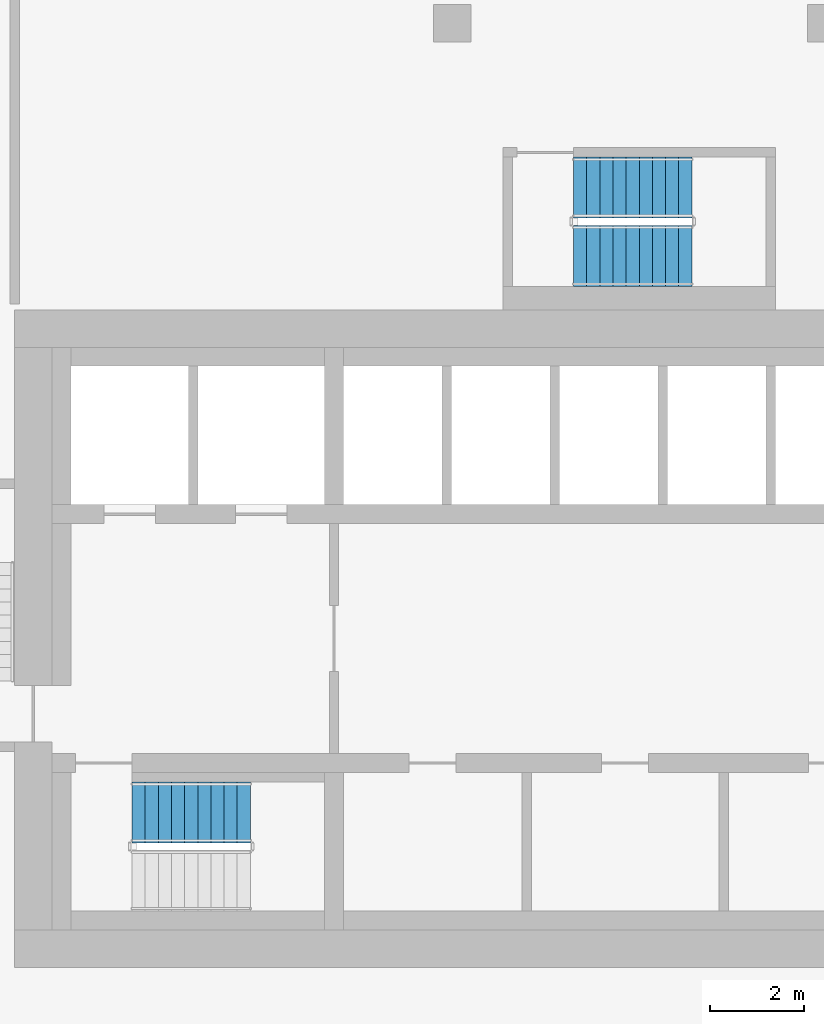
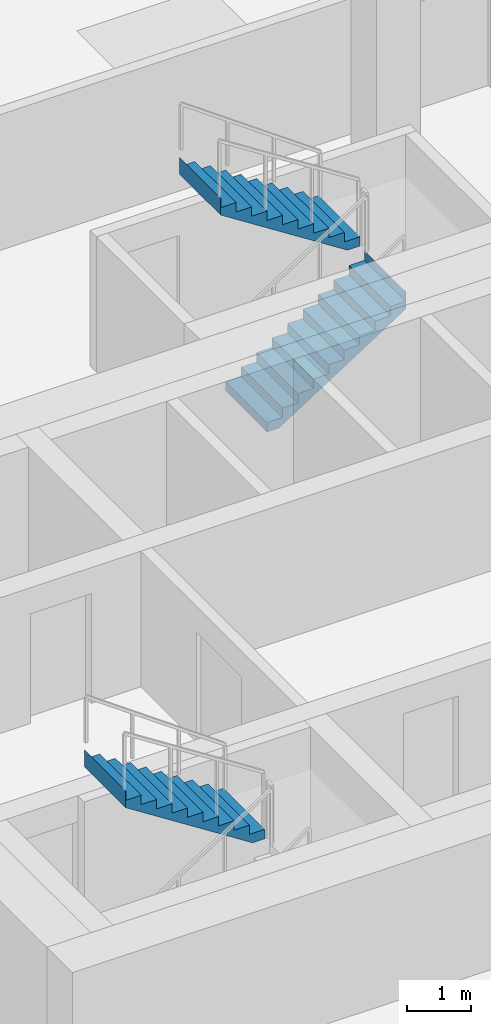
# One storey, part 17 of 22: 3 stair flights, 2 elements without a shape of their own.
"""IFC4 building model written with IfcOpenShell, lengths in metres."""

from ifc_helpers import new_model, si_unit, direction, frame, origin, place, context, subcontext, project, spatial, triangles, material, type_object, element, aggregate, save


model = new_model("IFC4")

# Units and contexts
model_context = context("Model", 3, precision=1e-05, world=origin(), true_north=direction((0.0, 1.0)))
body_context = subcontext(model_context, "Body", "Model", "MODEL_VIEW")
ifc_project = project(units=[si_unit("LENGTHUNIT", "METRE"), si_unit("AREAUNIT", "SQUARE_METRE"), si_unit("VOLUMEUNIT", "CUBIC_METRE"), si_unit("PLANEANGLEUNIT", "RADIAN"), si_unit("MASSUNIT", "GRAM", prefix="KILO")], contexts=[model_context])

# Site, building, storey
site_placement = place(None, origin())
site = spatial("IfcSite", under=ifc_project, at=site_placement, CompositionType="ELEMENT")
building_placement = place(site_placement, origin())
building = spatial("IfcBuilding", under=site, at=building_placement, Name="Beryl Residences", CompositionType="ELEMENT")
storey_placement = place(building_placement, frame((0.0, 0.0, 153.60009765625)))
storey = spatial("IfcBuildingStorey", under=building, at=storey_placement, Name="L47", CompositionType="ELEMENT", Elevation=153.60009765625)

# Stair, stair flight
ifc_material_1 = material(Name="Concrete C40/50", Category="concrete")
stair_type = type_object("IfcStairType", Name="ST1 protected exit stair, half-turn, 1300 mm flights", PredefinedType="HALF_TURN_STAIR", material=ifc_material_1)
stair_1_placement = place(storey_placement, origin())
stair_1 = element("IfcStair", 1, at=stair_1_placement, inside=storey, type_object=stair_type, Name="L47 PROTECTED EXIT STAIR ST-1", PredefinedType="HALF_TURN_STAIR")
ifc_material_2 = material(Name="Concrete C40/50", Category="concrete")
stair_flight_type = type_object("IfcStairFlightType", Name="SF1 stair flight 1300 mm", PredefinedType="STRAIGHT", material=ifc_material_2)
stair_flight_1_placement = place(storey_placement, frame((-8.280029296875, -15.699951171875, 1.7998046875), z_axis=(0.0, 0.0, 1.0), x_axis=(-1.0, 0.0, 0.0)))
stair_flight_1 = element("IfcStairFlight", 2, at=stair_flight_1_placement, type_object=stair_flight_type, Name="ST-1 flight 2", NumberOfRisers=10, NumberOfTreads=9, PredefinedType="STRAIGHT", RiserHeight=0.18, TreadLength=0.28, context=body_context, shape_type="Tessellation", body=[
    triangles([(0.0, -0.64990234375, 0.0), (0.0, -0.324951171875, 0.0), (0.0, 0.0, 0.0), (0.0, 0.324951171875, 0.0), (0.0, 0.64990234375, 0.0), (0.0, -0.64990234375, 0.179931640625), (0.0, -0.324951171875, 0.179931640625), (0.0, 0.0, 0.179931640625), (0.0, 0.324951171875, 0.179931640625), (0.0, 0.64990234375, 0.179931640625), (0.280029296875, -0.64990234375, 0.179931640625), (0.280029296875, -0.324951171875, 0.179931640625), (0.280029296875, 0.0, 0.179931640625), (0.280029296875, 0.324951171875, 0.179931640625), (0.280029296875, 0.64990234375, 0.179931640625), (0.280029296875, -0.64990234375, 0.360107421875), (0.280029296875, -0.324951171875, 0.360107421875), (0.280029296875, 0.0, 0.360107421875), (0.280029296875, 0.324951171875, 0.360107421875), (0.280029296875, 0.64990234375, 0.360107421875), (0.56005859375, -0.64990234375, 0.360107421875), (0.56005859375, -0.324951171875, 0.360107421875), (0.56005859375, 0.0, 0.360107421875), (0.56005859375, 0.324951171875, 0.360107421875), (0.56005859375, 0.64990234375, 0.360107421875), (0.56005859375, -0.64990234375, 0.5400390625), (0.56005859375, -0.324951171875, 0.5400390625), (0.56005859375, 0.0, 0.5400390625), (0.56005859375, 0.324951171875, 0.5400390625), (0.56005859375, 0.64990234375, 0.5400390625), (0.840087890625, -0.64990234375, 0.5400390625), (0.840087890625, -0.324951171875, 0.5400390625), (0.840087890625, 0.0, 0.5400390625), (0.840087890625, 0.324951171875, 0.5400390625), (0.840087890625, 0.64990234375, 0.5400390625), (0.840087890625, -0.64990234375, 0.719970703125), (0.840087890625, -0.324951171875, 0.719970703125), (0.840087890625, 0.0, 0.719970703125), (0.840087890625, 0.324951171875, 0.719970703125), (0.840087890625, 0.64990234375, 0.719970703125), (1.1201171875, -0.64990234375, 0.719970703125), (1.1201171875, -0.324951171875, 0.719970703125), (1.1201171875, 0.0, 0.719970703125), (1.1201171875, 0.324951171875, 0.719970703125), (1.1201171875, 0.64990234375, 0.719970703125), (1.1201171875, -0.64990234375, 0.89990234375), (1.1201171875, -0.324951171875, 0.89990234375), (1.1201171875, 0.0, 0.89990234375), (1.1201171875, 0.324951171875, 0.89990234375), (1.1201171875, 0.64990234375, 0.89990234375), (1.39990234375, -0.64990234375, 0.89990234375), (1.39990234375, -0.324951171875, 0.89990234375), (1.39990234375, 0.0, 0.89990234375), (1.39990234375, 0.324951171875, 0.89990234375), (1.39990234375, 0.64990234375, 0.89990234375), (1.39990234375, -0.64990234375, 1.080078125), (1.39990234375, -0.324951171875, 1.080078125), (1.39990234375, 0.0, 1.080078125), (1.39990234375, 0.324951171875, 1.080078125), (1.39990234375, 0.64990234375, 1.080078125), (1.679931640625, -0.64990234375, 1.080078125), (1.679931640625, -0.324951171875, 1.080078125), (1.679931640625, 0.0, 1.080078125), (1.679931640625, 0.324951171875, 1.080078125), (1.679931640625, 0.64990234375, 1.080078125), (1.679931640625, -0.64990234375, 1.260009765625), (1.679931640625, -0.324951171875, 1.260009765625), (1.679931640625, 0.0, 1.260009765625), (1.679931640625, 0.324951171875, 1.260009765625), (1.679931640625, 0.64990234375, 1.260009765625), (1.9599609375, -0.64990234375, 1.260009765625), (1.9599609375, -0.324951171875, 1.260009765625), (1.9599609375, 0.0, 1.260009765625), (1.9599609375, 0.324951171875, 1.260009765625), (1.9599609375, 0.64990234375, 1.260009765625), (1.9599609375, -0.64990234375, 1.43994140625), (1.9599609375, -0.324951171875, 1.43994140625), (1.9599609375, 0.0, 1.43994140625), (1.9599609375, 0.324951171875, 1.43994140625), (1.9599609375, 0.64990234375, 1.43994140625), (2.239990234375, -0.64990234375, 1.43994140625), (2.239990234375, -0.324951171875, 1.43994140625), (2.239990234375, 0.0, 1.43994140625), (2.239990234375, 0.324951171875, 1.43994140625), (2.239990234375, 0.64990234375, 1.43994140625), (2.239990234375, -0.64990234375, 1.6201171875), (2.239990234375, -0.324951171875, 1.6201171875), (2.239990234375, 0.0, 1.6201171875), (2.239990234375, 0.324951171875, 1.6201171875), (2.239990234375, 0.64990234375, 1.6201171875), (2.52001953125, -0.64990234375, 1.6201171875), (2.52001953125, -0.324951171875, 1.6201171875), (2.52001953125, 0.0, 1.6201171875), (2.52001953125, 0.324951171875, 1.6201171875), (2.52001953125, 0.64990234375, 1.6201171875), (2.52001953125, -0.64990234375, 1.800048828125), (2.52001953125, -0.324951171875, 1.800048828125), (2.52001953125, 0.0, 1.800048828125), (2.52001953125, 0.324951171875, 1.800048828125), (2.52001953125, 0.64990234375, 1.800048828125), (2.52099609375, -0.64990234375, 1.800048828125), (2.52099609375, -0.324951171875, 1.800048828125), (2.52099609375, 0.0, 1.800048828125), (2.52099609375, 0.324951171875, 1.800048828125), (2.52099609375, 0.64990234375, 1.800048828125), (2.52099609375, -0.64990234375, 1.477294921875), (2.52099609375, -0.324951171875, 1.477294921875), (2.52099609375, 0.0, 1.477294921875), (2.52099609375, 0.324951171875, 1.477294921875), (2.52099609375, 0.64990234375, 1.477294921875), (0.22314453125, -0.64990234375, 0.0), (0.22314453125, -0.324951171875, 0.0), (0.22314453125, 0.0, 0.0), (0.22314453125, 0.324951171875, 0.0), (0.22314453125, 0.64990234375, 0.0)], [[1, 6, 7], [1, 7, 2], [2, 7, 8], [2, 8, 3], [3, 8, 9], [3, 9, 4], [4, 9, 10], [4, 10, 5], [6, 11, 12], [6, 12, 7], [7, 12, 13], [7, 13, 8], [8, 13, 14], [8, 14, 9], [9, 14, 15], [9, 15, 10], [11, 16, 17], [11, 17, 12], [12, 17, 18], [12, 18, 13], [13, 18, 19], [13, 19, 14], [14, 19, 20], [14, 20, 15], [16, 21, 22], [16, 22, 17], [17, 22, 23], [17, 23, 18], [18, 23, 24], [18, 24, 19], [19, 24, 25], [19, 25, 20], [21, 26, 27], [21, 27, 22], [22, 27, 28], [22, 28, 23], [23, 28, 29], [23, 29, 24], [24, 29, 30], [24, 30, 25], [26, 31, 32], [26, 32, 27], [27, 32, 33], [27, 33, 28], [28, 33, 34], [28, 34, 29], [29, 34, 35], [29, 35, 30], [31, 36, 37], [31, 37, 32], [32, 37, 38], [32, 38, 33], [33, 38, 39], [33, 39, 34], [34, 39, 40], [34, 40, 35], [36, 41, 42], [36, 42, 37], [37, 42, 43], [37, 43, 38], [38, 43, 44], [38, 44, 39], [39, 44, 45], [39, 45, 40], [41, 46, 47], [41, 47, 42], [42, 47, 48], [42, 48, 43], [43, 48, 49], [43, 49, 44], [44, 49, 50], [44, 50, 45], [46, 51, 52], [46, 52, 47], [47, 52, 53], [47, 53, 48], [48, 53, 54], [48, 54, 49], [49, 54, 55], [49, 55, 50], [51, 56, 57], [51, 57, 52], [52, 57, 58], [52, 58, 53], [53, 58, 59], [53, 59, 54], [54, 59, 60], [54, 60, 55], [56, 61, 62], [56, 62, 57], [57, 62, 63], [57, 63, 58], [58, 63, 64], [58, 64, 59], [59, 64, 65], [59, 65, 60], [61, 66, 67], [61, 67, 62], [62, 67, 68], [62, 68, 63], [63, 68, 69], [63, 69, 64], [64, 69, 70], [64, 70, 65], [66, 71, 72], [66, 72, 67], [67, 72, 73], [67, 73, 68], [68, 73, 74], [68, 74, 69], [69, 74, 75], [69, 75, 70], [71, 76, 77], [71, 77, 72], [72, 77, 78], [72, 78, 73], [73, 78, 79], [73, 79, 74], [74, 79, 80], [74, 80, 75], [76, 81, 82], [76, 82, 77], [77, 82, 83], [77, 83, 78], [78, 83, 84], [78, 84, 79], [79, 84, 85], [79, 85, 80], [81, 86, 87], [81, 87, 82], [82, 87, 88], [82, 88, 83], [83, 88, 89], [83, 89, 84], [84, 89, 90], [84, 90, 85], [86, 91, 92], [86, 92, 87], [87, 92, 93], [87, 93, 88], [88, 93, 94], [88, 94, 89], [89, 94, 95], [89, 95, 90], [91, 96, 97], [91, 97, 92], [92, 97, 98], [92, 98, 93], [93, 98, 99], [93, 99, 94], [94, 99, 100], [94, 100, 95], [96, 101, 102], [96, 102, 97], [97, 102, 103], [97, 103, 98], [98, 103, 104], [98, 104, 99], [99, 104, 105], [99, 105, 100], [101, 106, 107], [101, 107, 102], [102, 107, 108], [102, 108, 103], [103, 108, 109], [103, 109, 104], [104, 109, 110], [104, 110, 105], [106, 111, 112], [106, 112, 107], [107, 112, 113], [107, 113, 108], [108, 113, 114], [108, 114, 109], [109, 114, 115], [109, 115, 110], [111, 1, 2], [111, 2, 112], [112, 2, 3], [112, 3, 113], [113, 3, 4], [113, 4, 114], [114, 4, 5], [114, 5, 115], [1, 111, 106], [5, 110, 115], [106, 101, 96], [110, 100, 105], [106, 96, 91], [110, 95, 100], [106, 91, 86], [110, 90, 95], [106, 86, 81], [110, 85, 90], [81, 76, 71], [85, 75, 80], [106, 81, 71], [110, 75, 85], [71, 66, 61], [75, 65, 70], [106, 71, 61], [110, 65, 75], [61, 56, 51], [65, 55, 60], [106, 61, 51], [110, 55, 65], [51, 46, 41], [55, 45, 50], [106, 51, 41], [110, 45, 55], [41, 36, 31], [45, 35, 40], [106, 41, 31], [110, 35, 45], [31, 26, 21], [35, 25, 30], [106, 31, 21], [110, 25, 35], [21, 16, 11], [25, 15, 20], [106, 21, 11], [110, 15, 25], [1, 106, 11], [5, 15, 110], [11, 6, 1], [15, 5, 10]], closed=True),
])
aggregate(stair_1, [stair_flight_1])

# Stair, stair flights
stair_2_placement = place(storey_placement, origin())
stair_2 = element("IfcStair", 3, at=stair_2_placement, inside=storey, type_object=stair_type, Name="L47 PROTECTED EXIT STAIR ST-4", PredefinedType="HALF_TURN_STAIR")
stair_flight_2_placement = place(storey_placement, frame((-1.39990234375, -3.85009765625, 0.0), z_axis=(0.0, 0.0, 1.0), x_axis=(1.0, 0.0, 0.0)))
stair_flight_2 = element("IfcStairFlight", 4, at=stair_flight_2_placement, type_object=stair_flight_type, Name="ST-4 flight 1", NumberOfRisers=10, NumberOfTreads=9, PredefinedType="STRAIGHT", RiserHeight=0.18, TreadLength=0.28, context=body_context, shape_type="Tessellation", body=[
    triangles([(0.0, -0.64990234375, 0.0), (0.0, -0.324951171875, 0.0), (0.0, 0.0, 0.0), (0.0, 0.324951171875, 0.0), (0.0, 0.64990234375, 0.0), (0.0, -0.64990234375, 0.179931640625), (0.0, -0.324951171875, 0.179931640625), (0.0, 0.0, 0.179931640625), (0.0, 0.324951171875, 0.179931640625), (0.0, 0.64990234375, 0.179931640625), (0.280029296875, -0.64990234375, 0.179931640625), (0.280029296875, -0.324951171875, 0.179931640625), (0.280029296875, 0.0, 0.179931640625), (0.280029296875, 0.324951171875, 0.179931640625), (0.280029296875, 0.64990234375, 0.179931640625), (0.280029296875, -0.64990234375, 0.360107421875), (0.280029296875, -0.324951171875, 0.360107421875), (0.280029296875, 0.0, 0.360107421875), (0.280029296875, 0.324951171875, 0.360107421875), (0.280029296875, 0.64990234375, 0.360107421875), (0.56005859375, -0.64990234375, 0.360107421875), (0.56005859375, -0.324951171875, 0.360107421875), (0.56005859375, 0.0, 0.360107421875), (0.56005859375, 0.324951171875, 0.360107421875), (0.56005859375, 0.64990234375, 0.360107421875), (0.56005859375, -0.64990234375, 0.5400390625), (0.56005859375, -0.324951171875, 0.5400390625), (0.56005859375, 0.0, 0.5400390625), (0.56005859375, 0.324951171875, 0.5400390625), (0.56005859375, 0.64990234375, 0.5400390625), (0.840087890625, -0.64990234375, 0.5400390625), (0.840087890625, -0.324951171875, 0.5400390625), (0.840087890625, 0.0, 0.5400390625), (0.840087890625, 0.324951171875, 0.5400390625), (0.840087890625, 0.64990234375, 0.5400390625), (0.840087890625, -0.64990234375, 0.719970703125), (0.840087890625, -0.324951171875, 0.719970703125), (0.840087890625, 0.0, 0.719970703125), (0.840087890625, 0.324951171875, 0.719970703125), (0.840087890625, 0.64990234375, 0.719970703125), (1.1201171875, -0.64990234375, 0.719970703125), (1.1201171875, -0.324951171875, 0.719970703125), (1.1201171875, 0.0, 0.719970703125), (1.1201171875, 0.324951171875, 0.719970703125), (1.1201171875, 0.64990234375, 0.719970703125), (1.1201171875, -0.64990234375, 0.89990234375), (1.1201171875, -0.324951171875, 0.89990234375), (1.1201171875, 0.0, 0.89990234375), (1.1201171875, 0.324951171875, 0.89990234375), (1.1201171875, 0.64990234375, 0.89990234375), (1.39990234375, -0.64990234375, 0.89990234375), (1.39990234375, -0.324951171875, 0.89990234375), (1.39990234375, 0.0, 0.89990234375), (1.39990234375, 0.324951171875, 0.89990234375), (1.39990234375, 0.64990234375, 0.89990234375), (1.39990234375, -0.64990234375, 1.080078125), (1.39990234375, -0.324951171875, 1.080078125), (1.39990234375, 0.0, 1.080078125), (1.39990234375, 0.324951171875, 1.080078125), (1.39990234375, 0.64990234375, 1.080078125), (1.679931640625, -0.64990234375, 1.080078125), (1.679931640625, -0.324951171875, 1.080078125), (1.679931640625, 0.0, 1.080078125), (1.679931640625, 0.324951171875, 1.080078125), (1.679931640625, 0.64990234375, 1.080078125), (1.679931640625, -0.64990234375, 1.260009765625), (1.679931640625, -0.324951171875, 1.260009765625), (1.679931640625, 0.0, 1.260009765625), (1.679931640625, 0.324951171875, 1.260009765625), (1.679931640625, 0.64990234375, 1.260009765625), (1.9599609375, -0.64990234375, 1.260009765625), (1.9599609375, -0.324951171875, 1.260009765625), (1.9599609375, 0.0, 1.260009765625), (1.9599609375, 0.324951171875, 1.260009765625), (1.9599609375, 0.64990234375, 1.260009765625), (1.9599609375, -0.64990234375, 1.43994140625), (1.9599609375, -0.324951171875, 1.43994140625), (1.9599609375, 0.0, 1.43994140625), (1.9599609375, 0.324951171875, 1.43994140625), (1.9599609375, 0.64990234375, 1.43994140625), (2.239990234375, -0.64990234375, 1.43994140625), (2.239990234375, -0.324951171875, 1.43994140625), (2.239990234375, 0.0, 1.43994140625), (2.239990234375, 0.324951171875, 1.43994140625), (2.239990234375, 0.64990234375, 1.43994140625), (2.239990234375, -0.64990234375, 1.6201171875), (2.239990234375, -0.324951171875, 1.6201171875), (2.239990234375, 0.0, 1.6201171875), (2.239990234375, 0.324951171875, 1.6201171875), (2.239990234375, 0.64990234375, 1.6201171875), (2.52001953125, -0.64990234375, 1.6201171875), (2.52001953125, -0.324951171875, 1.6201171875), (2.52001953125, 0.0, 1.6201171875), (2.52001953125, 0.324951171875, 1.6201171875), (2.52001953125, 0.64990234375, 1.6201171875), (2.52001953125, -0.64990234375, 1.800048828125), (2.52001953125, -0.324951171875, 1.800048828125), (2.52001953125, 0.0, 1.800048828125), (2.52001953125, 0.324951171875, 1.800048828125), (2.52001953125, 0.64990234375, 1.800048828125), (2.52099609375, -0.64990234375, 1.800048828125), (2.52099609375, -0.324951171875, 1.800048828125), (2.52099609375, 0.0, 1.800048828125), (2.52099609375, 0.324951171875, 1.800048828125), (2.52099609375, 0.64990234375, 1.800048828125), (2.52099609375, -0.64990234375, 1.477294921875), (2.52099609375, -0.324951171875, 1.477294921875), (2.52099609375, 0.0, 1.477294921875), (2.52099609375, 0.324951171875, 1.477294921875), (2.52099609375, 0.64990234375, 1.477294921875), (0.22314453125, -0.64990234375, 0.0), (0.22314453125, -0.324951171875, 0.0), (0.22314453125, 0.0, 0.0), (0.22314453125, 0.324951171875, 0.0), (0.22314453125, 0.64990234375, 0.0)], [[1, 6, 7], [1, 7, 2], [2, 7, 8], [2, 8, 3], [3, 8, 9], [3, 9, 4], [4, 9, 10], [4, 10, 5], [6, 11, 12], [6, 12, 7], [7, 12, 13], [7, 13, 8], [8, 13, 14], [8, 14, 9], [9, 14, 15], [9, 15, 10], [11, 16, 17], [11, 17, 12], [12, 17, 18], [12, 18, 13], [13, 18, 19], [13, 19, 14], [14, 19, 20], [14, 20, 15], [16, 21, 22], [16, 22, 17], [17, 22, 23], [17, 23, 18], [18, 23, 24], [18, 24, 19], [19, 24, 25], [19, 25, 20], [21, 26, 27], [21, 27, 22], [22, 27, 28], [22, 28, 23], [23, 28, 29], [23, 29, 24], [24, 29, 30], [24, 30, 25], [26, 31, 32], [26, 32, 27], [27, 32, 33], [27, 33, 28], [28, 33, 34], [28, 34, 29], [29, 34, 35], [29, 35, 30], [31, 36, 37], [31, 37, 32], [32, 37, 38], [32, 38, 33], [33, 38, 39], [33, 39, 34], [34, 39, 40], [34, 40, 35], [36, 41, 42], [36, 42, 37], [37, 42, 43], [37, 43, 38], [38, 43, 44], [38, 44, 39], [39, 44, 45], [39, 45, 40], [41, 46, 47], [41, 47, 42], [42, 47, 48], [42, 48, 43], [43, 48, 49], [43, 49, 44], [44, 49, 50], [44, 50, 45], [46, 51, 52], [46, 52, 47], [47, 52, 53], [47, 53, 48], [48, 53, 54], [48, 54, 49], [49, 54, 55], [49, 55, 50], [51, 56, 57], [51, 57, 52], [52, 57, 58], [52, 58, 53], [53, 58, 59], [53, 59, 54], [54, 59, 60], [54, 60, 55], [56, 61, 62], [56, 62, 57], [57, 62, 63], [57, 63, 58], [58, 63, 64], [58, 64, 59], [59, 64, 65], [59, 65, 60], [61, 66, 67], [61, 67, 62], [62, 67, 68], [62, 68, 63], [63, 68, 69], [63, 69, 64], [64, 69, 70], [64, 70, 65], [66, 71, 72], [66, 72, 67], [67, 72, 73], [67, 73, 68], [68, 73, 74], [68, 74, 69], [69, 74, 75], [69, 75, 70], [71, 76, 77], [71, 77, 72], [72, 77, 78], [72, 78, 73], [73, 78, 79], [73, 79, 74], [74, 79, 80], [74, 80, 75], [76, 81, 82], [76, 82, 77], [77, 82, 83], [77, 83, 78], [78, 83, 84], [78, 84, 79], [79, 84, 85], [79, 85, 80], [81, 86, 87], [81, 87, 82], [82, 87, 88], [82, 88, 83], [83, 88, 89], [83, 89, 84], [84, 89, 90], [84, 90, 85], [86, 91, 92], [86, 92, 87], [87, 92, 93], [87, 93, 88], [88, 93, 94], [88, 94, 89], [89, 94, 95], [89, 95, 90], [91, 96, 97], [91, 97, 92], [92, 97, 98], [92, 98, 93], [93, 98, 99], [93, 99, 94], [94, 99, 100], [94, 100, 95], [96, 101, 102], [96, 102, 97], [97, 102, 103], [97, 103, 98], [98, 103, 104], [98, 104, 99], [99, 104, 105], [99, 105, 100], [101, 106, 107], [101, 107, 102], [102, 107, 108], [102, 108, 103], [103, 108, 109], [103, 109, 104], [104, 109, 110], [104, 110, 105], [106, 111, 112], [106, 112, 107], [107, 112, 113], [107, 113, 108], [108, 113, 114], [108, 114, 109], [109, 114, 115], [109, 115, 110], [111, 1, 2], [111, 2, 112], [112, 2, 3], [112, 3, 113], [113, 3, 4], [113, 4, 114], [114, 4, 5], [114, 5, 115], [1, 111, 106], [5, 110, 115], [106, 101, 96], [110, 100, 105], [106, 96, 91], [110, 95, 100], [106, 91, 86], [110, 90, 95], [106, 86, 81], [110, 85, 90], [81, 76, 71], [85, 75, 80], [106, 81, 71], [110, 75, 85], [71, 66, 61], [75, 65, 70], [106, 71, 61], [110, 65, 75], [61, 56, 51], [65, 55, 60], [106, 61, 51], [110, 55, 65], [51, 46, 41], [55, 45, 50], [106, 51, 41], [110, 45, 55], [41, 36, 31], [45, 35, 40], [106, 41, 31], [110, 35, 45], [31, 26, 21], [35, 25, 30], [106, 31, 21], [110, 25, 35], [21, 16, 11], [25, 15, 20], [106, 21, 11], [110, 15, 25], [1, 106, 11], [5, 15, 110], [11, 6, 1], [15, 5, 10]], closed=True),
])
stair_flight_3_placement = place(storey_placement, frame((1.1201171875, -2.39990234375, 1.7998046875), z_axis=(0.0, 0.0, 1.0), x_axis=(-1.0, 0.0, 0.0)))
stair_flight_3 = element("IfcStairFlight", 5, at=stair_flight_3_placement, type_object=stair_flight_type, Name="ST-4 flight 2", NumberOfRisers=10, NumberOfTreads=9, PredefinedType="STRAIGHT", RiserHeight=0.18, TreadLength=0.28, context=body_context, shape_type="Tessellation", body=[
    triangles([(0.0, -0.64990234375, 0.0), (0.0, -0.324951171875, 0.0), (0.0, 0.0, 0.0), (0.0, 0.324951171875, 0.0), (0.0, 0.64990234375, 0.0), (0.0, -0.64990234375, 0.179931640625), (0.0, -0.324951171875, 0.179931640625), (0.0, 0.0, 0.179931640625), (0.0, 0.324951171875, 0.179931640625), (0.0, 0.64990234375, 0.179931640625), (0.280029296875, -0.64990234375, 0.179931640625), (0.280029296875, -0.324951171875, 0.179931640625), (0.280029296875, 0.0, 0.179931640625), (0.280029296875, 0.324951171875, 0.179931640625), (0.280029296875, 0.64990234375, 0.179931640625), (0.280029296875, -0.64990234375, 0.360107421875), (0.280029296875, -0.324951171875, 0.360107421875), (0.280029296875, 0.0, 0.360107421875), (0.280029296875, 0.324951171875, 0.360107421875), (0.280029296875, 0.64990234375, 0.360107421875), (0.56005859375, -0.64990234375, 0.360107421875), (0.56005859375, -0.324951171875, 0.360107421875), (0.56005859375, 0.0, 0.360107421875), (0.56005859375, 0.324951171875, 0.360107421875), (0.56005859375, 0.64990234375, 0.360107421875), (0.56005859375, -0.64990234375, 0.5400390625), (0.56005859375, -0.324951171875, 0.5400390625), (0.56005859375, 0.0, 0.5400390625), (0.56005859375, 0.324951171875, 0.5400390625), (0.56005859375, 0.64990234375, 0.5400390625), (0.840087890625, -0.64990234375, 0.5400390625), (0.840087890625, -0.324951171875, 0.5400390625), (0.840087890625, 0.0, 0.5400390625), (0.840087890625, 0.324951171875, 0.5400390625), (0.840087890625, 0.64990234375, 0.5400390625), (0.840087890625, -0.64990234375, 0.719970703125), (0.840087890625, -0.324951171875, 0.719970703125), (0.840087890625, 0.0, 0.719970703125), (0.840087890625, 0.324951171875, 0.719970703125), (0.840087890625, 0.64990234375, 0.719970703125), (1.1201171875, -0.64990234375, 0.719970703125), (1.1201171875, -0.324951171875, 0.719970703125), (1.1201171875, 0.0, 0.719970703125), (1.1201171875, 0.324951171875, 0.719970703125), (1.1201171875, 0.64990234375, 0.719970703125), (1.1201171875, -0.64990234375, 0.89990234375), (1.1201171875, -0.324951171875, 0.89990234375), (1.1201171875, 0.0, 0.89990234375), (1.1201171875, 0.324951171875, 0.89990234375), (1.1201171875, 0.64990234375, 0.89990234375), (1.39990234375, -0.64990234375, 0.89990234375), (1.39990234375, -0.324951171875, 0.89990234375), (1.39990234375, 0.0, 0.89990234375), (1.39990234375, 0.324951171875, 0.89990234375), (1.39990234375, 0.64990234375, 0.89990234375), (1.39990234375, -0.64990234375, 1.080078125), (1.39990234375, -0.324951171875, 1.080078125), (1.39990234375, 0.0, 1.080078125), (1.39990234375, 0.324951171875, 1.080078125), (1.39990234375, 0.64990234375, 1.080078125), (1.679931640625, -0.64990234375, 1.080078125), (1.679931640625, -0.324951171875, 1.080078125), (1.679931640625, 0.0, 1.080078125), (1.679931640625, 0.324951171875, 1.080078125), (1.679931640625, 0.64990234375, 1.080078125), (1.679931640625, -0.64990234375, 1.260009765625), (1.679931640625, -0.324951171875, 1.260009765625), (1.679931640625, 0.0, 1.260009765625), (1.679931640625, 0.324951171875, 1.260009765625), (1.679931640625, 0.64990234375, 1.260009765625), (1.9599609375, -0.64990234375, 1.260009765625), (1.9599609375, -0.324951171875, 1.260009765625), (1.9599609375, 0.0, 1.260009765625), (1.9599609375, 0.324951171875, 1.260009765625), (1.9599609375, 0.64990234375, 1.260009765625), (1.9599609375, -0.64990234375, 1.43994140625), (1.9599609375, -0.324951171875, 1.43994140625), (1.9599609375, 0.0, 1.43994140625), (1.9599609375, 0.324951171875, 1.43994140625), (1.9599609375, 0.64990234375, 1.43994140625), (2.239990234375, -0.64990234375, 1.43994140625), (2.239990234375, -0.324951171875, 1.43994140625), (2.239990234375, 0.0, 1.43994140625), (2.239990234375, 0.324951171875, 1.43994140625), (2.239990234375, 0.64990234375, 1.43994140625), (2.239990234375, -0.64990234375, 1.6201171875), (2.239990234375, -0.324951171875, 1.6201171875), (2.239990234375, 0.0, 1.6201171875), (2.239990234375, 0.324951171875, 1.6201171875), (2.239990234375, 0.64990234375, 1.6201171875), (2.52001953125, -0.64990234375, 1.6201171875), (2.52001953125, -0.324951171875, 1.6201171875), (2.52001953125, 0.0, 1.6201171875), (2.52001953125, 0.324951171875, 1.6201171875), (2.52001953125, 0.64990234375, 1.6201171875), (2.52001953125, -0.64990234375, 1.800048828125), (2.52001953125, -0.324951171875, 1.800048828125), (2.52001953125, 0.0, 1.800048828125), (2.52001953125, 0.324951171875, 1.800048828125), (2.52001953125, 0.64990234375, 1.800048828125), (2.52099609375, -0.64990234375, 1.800048828125), (2.52099609375, -0.324951171875, 1.800048828125), (2.52099609375, 0.0, 1.800048828125), (2.52099609375, 0.324951171875, 1.800048828125), (2.52099609375, 0.64990234375, 1.800048828125), (2.52099609375, -0.64990234375, 1.477294921875), (2.52099609375, -0.324951171875, 1.477294921875), (2.52099609375, 0.0, 1.477294921875), (2.52099609375, 0.324951171875, 1.477294921875), (2.52099609375, 0.64990234375, 1.477294921875), (0.22314453125, -0.64990234375, 0.0), (0.22314453125, -0.324951171875, 0.0), (0.22314453125, 0.0, 0.0), (0.22314453125, 0.324951171875, 0.0), (0.22314453125, 0.64990234375, 0.0)], [[1, 6, 7], [1, 7, 2], [2, 7, 8], [2, 8, 3], [3, 8, 9], [3, 9, 4], [4, 9, 10], [4, 10, 5], [6, 11, 12], [6, 12, 7], [7, 12, 13], [7, 13, 8], [8, 13, 14], [8, 14, 9], [9, 14, 15], [9, 15, 10], [11, 16, 17], [11, 17, 12], [12, 17, 18], [12, 18, 13], [13, 18, 19], [13, 19, 14], [14, 19, 20], [14, 20, 15], [16, 21, 22], [16, 22, 17], [17, 22, 23], [17, 23, 18], [18, 23, 24], [18, 24, 19], [19, 24, 25], [19, 25, 20], [21, 26, 27], [21, 27, 22], [22, 27, 28], [22, 28, 23], [23, 28, 29], [23, 29, 24], [24, 29, 30], [24, 30, 25], [26, 31, 32], [26, 32, 27], [27, 32, 33], [27, 33, 28], [28, 33, 34], [28, 34, 29], [29, 34, 35], [29, 35, 30], [31, 36, 37], [31, 37, 32], [32, 37, 38], [32, 38, 33], [33, 38, 39], [33, 39, 34], [34, 39, 40], [34, 40, 35], [36, 41, 42], [36, 42, 37], [37, 42, 43], [37, 43, 38], [38, 43, 44], [38, 44, 39], [39, 44, 45], [39, 45, 40], [41, 46, 47], [41, 47, 42], [42, 47, 48], [42, 48, 43], [43, 48, 49], [43, 49, 44], [44, 49, 50], [44, 50, 45], [46, 51, 52], [46, 52, 47], [47, 52, 53], [47, 53, 48], [48, 53, 54], [48, 54, 49], [49, 54, 55], [49, 55, 50], [51, 56, 57], [51, 57, 52], [52, 57, 58], [52, 58, 53], [53, 58, 59], [53, 59, 54], [54, 59, 60], [54, 60, 55], [56, 61, 62], [56, 62, 57], [57, 62, 63], [57, 63, 58], [58, 63, 64], [58, 64, 59], [59, 64, 65], [59, 65, 60], [61, 66, 67], [61, 67, 62], [62, 67, 68], [62, 68, 63], [63, 68, 69], [63, 69, 64], [64, 69, 70], [64, 70, 65], [66, 71, 72], [66, 72, 67], [67, 72, 73], [67, 73, 68], [68, 73, 74], [68, 74, 69], [69, 74, 75], [69, 75, 70], [71, 76, 77], [71, 77, 72], [72, 77, 78], [72, 78, 73], [73, 78, 79], [73, 79, 74], [74, 79, 80], [74, 80, 75], [76, 81, 82], [76, 82, 77], [77, 82, 83], [77, 83, 78], [78, 83, 84], [78, 84, 79], [79, 84, 85], [79, 85, 80], [81, 86, 87], [81, 87, 82], [82, 87, 88], [82, 88, 83], [83, 88, 89], [83, 89, 84], [84, 89, 90], [84, 90, 85], [86, 91, 92], [86, 92, 87], [87, 92, 93], [87, 93, 88], [88, 93, 94], [88, 94, 89], [89, 94, 95], [89, 95, 90], [91, 96, 97], [91, 97, 92], [92, 97, 98], [92, 98, 93], [93, 98, 99], [93, 99, 94], [94, 99, 100], [94, 100, 95], [96, 101, 102], [96, 102, 97], [97, 102, 103], [97, 103, 98], [98, 103, 104], [98, 104, 99], [99, 104, 105], [99, 105, 100], [101, 106, 107], [101, 107, 102], [102, 107, 108], [102, 108, 103], [103, 108, 109], [103, 109, 104], [104, 109, 110], [104, 110, 105], [106, 111, 112], [106, 112, 107], [107, 112, 113], [107, 113, 108], [108, 113, 114], [108, 114, 109], [109, 114, 115], [109, 115, 110], [111, 1, 2], [111, 2, 112], [112, 2, 3], [112, 3, 113], [113, 3, 4], [113, 4, 114], [114, 4, 5], [114, 5, 115], [1, 111, 106], [5, 110, 115], [106, 101, 96], [110, 100, 105], [106, 96, 91], [110, 95, 100], [106, 91, 86], [110, 90, 95], [106, 86, 81], [110, 85, 90], [81, 76, 71], [85, 75, 80], [106, 81, 71], [110, 75, 85], [71, 66, 61], [75, 65, 70], [106, 71, 61], [110, 65, 75], [61, 56, 51], [65, 55, 60], [106, 61, 51], [110, 55, 65], [51, 46, 41], [55, 45, 50], [106, 51, 41], [110, 45, 55], [41, 36, 31], [45, 35, 40], [106, 41, 31], [110, 35, 45], [31, 26, 21], [35, 25, 30], [106, 31, 21], [110, 25, 35], [21, 16, 11], [25, 15, 20], [106, 21, 11], [110, 15, 25], [1, 106, 11], [5, 15, 110], [11, 6, 1], [15, 5, 10]], closed=True),
])
aggregate(stair_2, [stair_flight_2, stair_flight_3])

save(model, "model.ifc")
